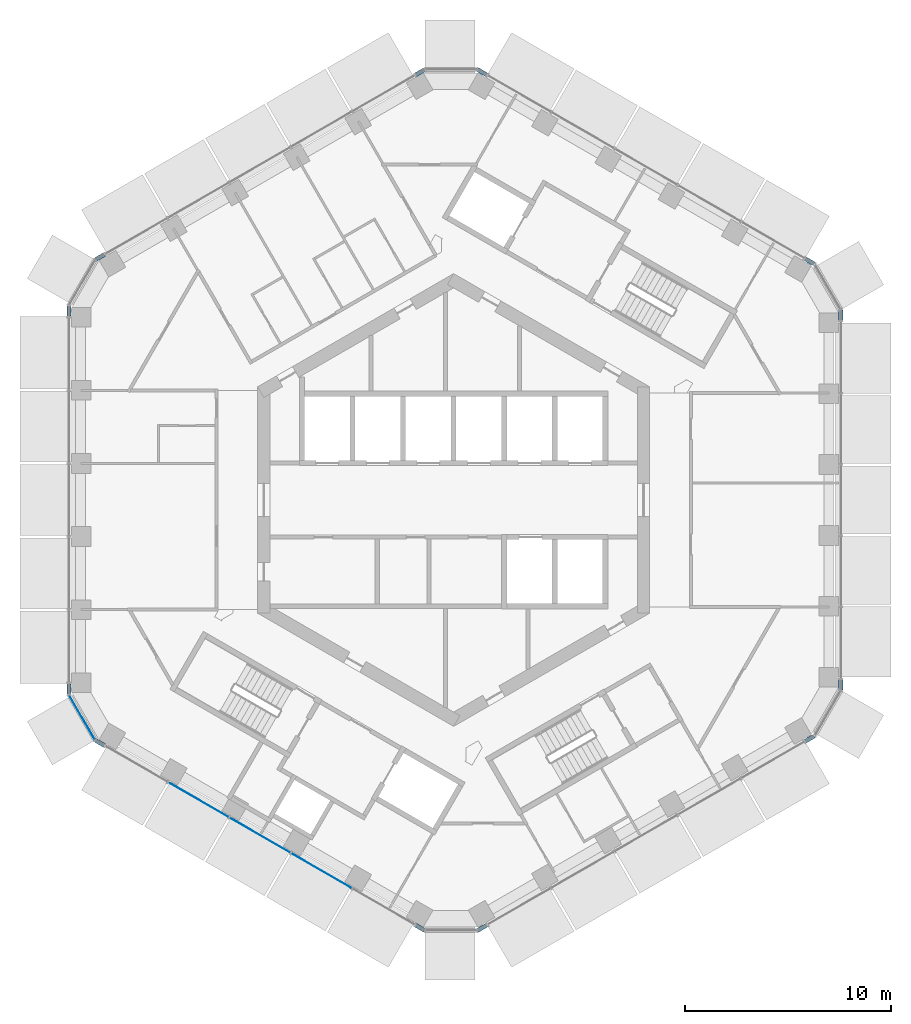
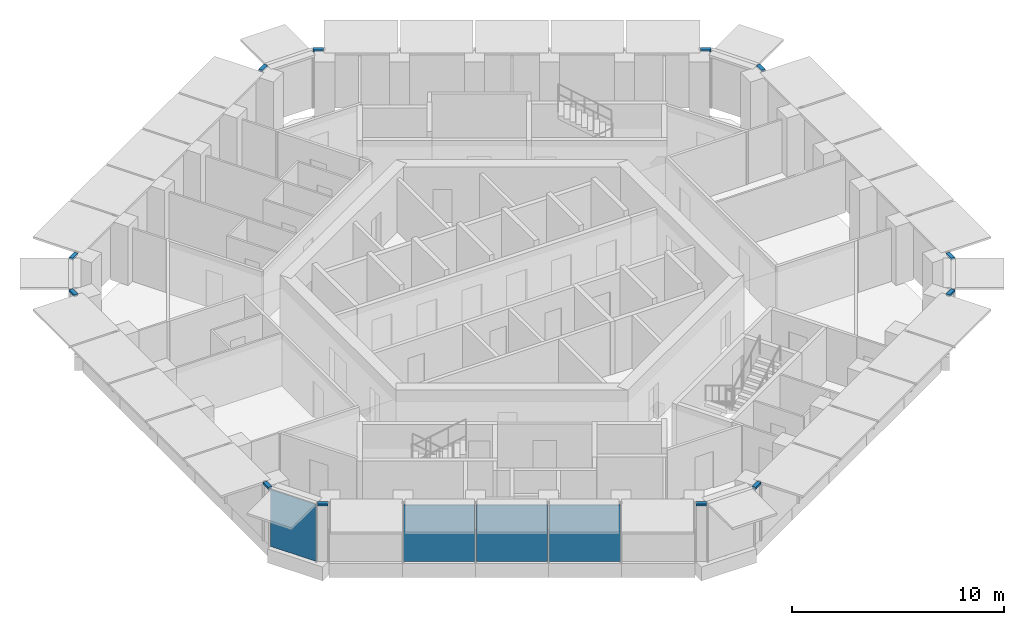
# One storey, part 8 of 18: 12 members, 4 plates, 7 elements without a shape of their own.
"""IFC4 building model written with IfcOpenShell, lengths in metres."""

from ifc_helpers import new_model, si_unit, direction, frame, origin, origin_2d, place, context, subcontext, project, spatial, rectangle, extrude, material, layer, layer_set, material_profile, profile_set, type_object, element, aggregate, save


model = new_model("IFC4")

# Units and contexts
model_context = context("Model", 3, precision=1e-05, world=origin(), true_north=direction((0.0, 1.0)))
body_context = subcontext(model_context, "Body", "Model", "MODEL_VIEW")
ifc_project = project(units=[si_unit("LENGTHUNIT", "METRE"), si_unit("AREAUNIT", "SQUARE_METRE"), si_unit("VOLUMEUNIT", "CUBIC_METRE"), si_unit("PLANEANGLEUNIT", "RADIAN"), si_unit("MASSUNIT", "GRAM", prefix="KILO")], contexts=[model_context])

# Site, building, storey
site_placement = place(None, origin())
site = spatial("IfcSite", under=ifc_project, at=site_placement, CompositionType="ELEMENT")
building_placement = place(site_placement, origin())
building = spatial("IfcBuilding", under=site, at=building_placement, Name="Ayvan Gate Tower", CompositionType="ELEMENT")
storey_placement = place(building_placement, frame((0.0, 0.0, 159.5)))
storey = spatial("IfcBuildingStorey", under=building, at=storey_placement, Name="L42", CompositionType="ELEMENT", Elevation=159.5)

# Curtain wall, members
ifc_material_1 = material(Name="Bronze anodised aluminium", Category="aluminium")
ifc_layer_1 = layer(ifc_material_1, 0.199951171875)
ifc_layer_set_1 = layer_set([ifc_layer_1], Name="Bronze anodised aluminium")
curtain_wall_type_1 = type_object("IfcCurtainWallType", Name="Stick curtain wall CW-6", PredefinedType="NOTDEFINED", material=ifc_layer_set_1)
curtain_wall_1_placement = place(storey_placement, origin())
curtain_wall_1 = element("IfcCurtainWall", 1, at=curtain_wall_1_placement, inside=storey, type_object=curtain_wall_type_1, Name="Stick curtain wall CW-6 L42", PredefinedType="NOTDEFINED")
ifc_material_profile = material_profile(ifc_material_1, rectangle(XDim=0.199951171875, YDim=0.1201171875, at=origin_2d()), Name="Stick curtain wall CW-6 transom 200 x 120")
ifc_profile_set = profile_set([ifc_material_profile], Name="Bronze anodised aluminium")
member_type = type_object("IfcMemberType", Name="Stick curtain wall CW-6 transom 200 x 120", PredefinedType="USERDEFINED", material=ifc_profile_set)
member_1_placement = place(storey_placement, frame((-16.9208984375, 11.894775390625, 3.340087890625), z_axis=(-0.866071776036, -0.499919672301, 0.0), x_axis=(0.499919672301, -0.866071776036, 0.0)))
member_1 = element("IfcMember", 2, at=member_1_placement, type_object=member_type, Name="CW-6 transom 1", ObjectType="TRANSOM", PredefinedType="USERDEFINED", context=body_context, shape_type="SweptSolid", body=[
    extrude(rectangle(XDim=0.199951171875, YDim=0.1201171875, at=origin_2d()), origin(), (0.0, 0.0, 1.0), 0.5),
])
member_2_placement = place(storey_placement, frame((-18.642822265625, 9.412109375, 3.340087890625), z_axis=(0.0, -1.0, 0.0), x_axis=(1.0, 0.0, 0.0)))
member_2 = element("IfcMember", 3, at=member_2_placement, type_object=member_type, Name="CW-6 transom 3", ObjectType="TRANSOM", PredefinedType="USERDEFINED", context=body_context, shape_type="SweptSolid", body=[
    extrude(rectangle(XDim=0.199951171875, YDim=0.1201171875, at=origin_2d()), origin(), (0.0, 0.0, 1.0), 0.5),
])
aggregate(curtain_wall_1, [member_1, member_2])

curtain_wall_2_placement = place(storey_placement, origin())
curtain_wall_2 = element("IfcCurtainWall", 4, at=curtain_wall_2_placement, inside=storey, type_object=curtain_wall_type_1, Name="Stick curtain wall CW-6 L42", PredefinedType="NOTDEFINED")
member_3_placement = place(storey_placement, frame((-18.642822265625, -8.912109375, 3.340087890625), z_axis=(0.0, -1.0, 0.0), x_axis=(1.0, 0.0, 0.0)))
member_3 = element("IfcMember", 5, at=member_3_placement, type_object=member_type, Name="CW-6 transom 1", ObjectType="TRANSOM", PredefinedType="USERDEFINED", context=body_context, shape_type="SweptSolid", body=[
    extrude(rectangle(XDim=0.199951171875, YDim=0.1201171875, at=origin_2d()), origin(), (0.0, 0.0, 1.0), 0.5),
])
member_4_placement = place(storey_placement, frame((-17.35400390625, -11.644775390625, 3.340087890625), z_axis=(0.866071776036, -0.499919672301, 0.0), x_axis=(0.499919672301, 0.866071776036, 0.0)))
member_4 = element("IfcMember", 6, at=member_4_placement, type_object=member_type, Name="CW-6 transom 3", ObjectType="TRANSOM", PredefinedType="USERDEFINED", context=body_context, shape_type="SweptSolid", body=[
    extrude(rectangle(XDim=0.199951171875, YDim=0.1201171875, at=origin_2d()), origin(), (0.0, 0.0, 1.0), 0.5),
])

curtain_wall_3_placement = place(storey_placement, origin())
curtain_wall_3 = element("IfcCurtainWall", 7, at=curtain_wall_3_placement, inside=storey, type_object=curtain_wall_type_1, Name="Stick curtain wall CW-6 L42", PredefinedType="NOTDEFINED")
member_5_placement = place(storey_placement, frame((-1.840576171875, -20.601318359375, 3.340087890625), z_axis=(0.865949687125, -0.500131122175, 0.0), x_axis=(0.500131122175, 0.865949687125, 0.0)))
member_5 = element("IfcMember", 8, at=member_5_placement, type_object=member_type, Name="CW-6 transom 1", ObjectType="TRANSOM", PredefinedType="USERDEFINED", context=body_context, shape_type="SweptSolid", body=[
    extrude(rectangle(XDim=0.199951171875, YDim=0.1201171875, at=origin_2d()), origin(), (0.0, 0.0, 1.0), 0.499755859375),
])
member_6_placement = place(storey_placement, frame((1.170166015625, -20.851318359375, 3.340087890625), z_axis=(0.866071776036, 0.499919672301, 0.0), x_axis=(-0.499919672301, 0.866071776036, 0.0)))
member_6 = element("IfcMember", 9, at=member_6_placement, type_object=member_type, Name="CW-6 transom 3", ObjectType="TRANSOM", PredefinedType="USERDEFINED", context=body_context, shape_type="SweptSolid", body=[
    extrude(rectangle(XDim=0.199951171875, YDim=0.1201171875, at=origin_2d()), origin(), (0.0, 0.0, 1.0), 0.5),
])
aggregate(curtain_wall_3, [member_5, member_6])

curtain_wall_4_placement = place(storey_placement, origin())
curtain_wall_4 = element("IfcCurtainWall", 10, at=curtain_wall_4_placement, inside=storey, type_object=curtain_wall_type_1, Name="Stick curtain wall CW-6 L42", PredefinedType="NOTDEFINED")
member_7_placement = place(storey_placement, frame((17.03955078125, -11.68896484375, 3.340087890625), z_axis=(0.866071776036, 0.499919672301, 0.0), x_axis=(-0.499919672301, 0.866071776036, 0.0)))
member_7 = element("IfcMember", 11, at=member_7_placement, type_object=member_type, Name="CW-6 transom 1", ObjectType="TRANSOM", PredefinedType="USERDEFINED", context=body_context, shape_type="SweptSolid", body=[
    extrude(rectangle(XDim=0.199951171875, YDim=0.1201171875, at=origin_2d()), origin(), (0.0, 0.0, 1.0), 0.5),
])
member_8_placement = place(storey_placement, frame((18.761474609375, -9.20654296875, 3.340087890625), z_axis=(0.0, 1.0, 0.0), x_axis=(-1.0, 0.0, 0.0)))
member_8 = element("IfcMember", 12, at=member_8_placement, type_object=member_type, Name="CW-6 transom 3", ObjectType="TRANSOM", PredefinedType="USERDEFINED", context=body_context, shape_type="SweptSolid", body=[
    extrude(rectangle(XDim=0.199951171875, YDim=0.1201171875, at=origin_2d()), origin(), (0.0, 0.0, 1.0), 0.5),
])
aggregate(curtain_wall_4, [member_7, member_8])

curtain_wall_5_placement = place(storey_placement, origin())
curtain_wall_5 = element("IfcCurtainWall", 13, at=curtain_wall_5_placement, inside=storey, type_object=curtain_wall_type_1, Name="Stick curtain wall CW-6 L42", PredefinedType="NOTDEFINED")
member_9_placement = place(storey_placement, frame((18.761474609375, 8.70654296875, 3.340087890625), z_axis=(0.0, 1.0, 0.0), x_axis=(-1.0, 0.0, 0.0)))
member_9 = element("IfcMember", 14, at=member_9_placement, type_object=member_type, Name="CW-6 transom 1", ObjectType="TRANSOM", PredefinedType="USERDEFINED", context=body_context, shape_type="SweptSolid", body=[
    extrude(rectangle(XDim=0.199951171875, YDim=0.1201171875, at=origin_2d()), origin(), (0.0, 0.0, 1.0), 0.5),
])
member_10_placement = place(storey_placement, frame((17.47265625, 11.43896484375, 3.340087890625), z_axis=(-0.866071776036, 0.499919672301, 0.0), x_axis=(-0.499919672301, -0.866071776036, 0.0)))
member_10 = element("IfcMember", 15, at=member_10_placement, type_object=member_type, Name="CW-6 transom 3", ObjectType="TRANSOM", PredefinedType="USERDEFINED", context=body_context, shape_type="SweptSolid", body=[
    extrude(rectangle(XDim=0.199951171875, YDim=0.1201171875, at=origin_2d()), origin(), (0.0, 0.0, 1.0), 0.5),
])
aggregate(curtain_wall_5, [member_9, member_10])

curtain_wall_6_placement = place(storey_placement, origin())
curtain_wall_6 = element("IfcCurtainWall", 16, at=curtain_wall_6_placement, inside=storey, type_object=curtain_wall_type_1, Name="Stick curtain wall CW-6 L42", PredefinedType="NOTDEFINED")
member_11_placement = place(storey_placement, frame((1.603271484375, 20.601318359375, 3.340087890625), z_axis=(-0.866071776036, 0.499919672301, 0.0), x_axis=(-0.499919672301, -0.866071776036, 0.0)))
member_11 = element("IfcMember", 17, at=member_11_placement, type_object=member_type, Name="CW-6 transom 1", ObjectType="TRANSOM", PredefinedType="USERDEFINED", context=body_context, shape_type="SweptSolid", body=[
    extrude(rectangle(XDim=0.199951171875, YDim=0.1201171875, at=origin_2d()), origin(), (0.0, 0.0, 1.0), 0.5),
])
member_12_placement = place(storey_placement, frame((-1.40771484375, 20.851318359375, 3.340087890625), z_axis=(-0.865949687125, -0.500131122175, 0.0), x_axis=(0.500131122175, -0.865949687125, 0.0)))
member_12 = element("IfcMember", 18, at=member_12_placement, type_object=member_type, Name="CW-6 transom 3", ObjectType="TRANSOM", PredefinedType="USERDEFINED", context=body_context, shape_type="SweptSolid", body=[
    extrude(rectangle(XDim=0.199951171875, YDim=0.1201171875, at=origin_2d()), origin(), (0.0, 0.0, 1.0), 0.499755859375),
])
aggregate(curtain_wall_6, [member_11, member_12])

# Curtain wall, plates
ifc_layer_2 = layer(ifc_material_1, 0.199951171875)
ifc_layer_set_2 = layer_set([ifc_layer_2], Name="Bronze anodised aluminium")
curtain_wall_type_2 = type_object("IfcCurtainWallType", Name="Stick curtain wall CW-2", PredefinedType="NOTDEFINED", material=ifc_layer_set_2)
curtain_wall_7_placement = place(storey_placement, origin())
curtain_wall_7 = element("IfcCurtainWall", 19, at=curtain_wall_7_placement, inside=storey, type_object=curtain_wall_type_2, Name="Stick curtain wall CW-2 L42", PredefinedType="NOTDEFINED")
ifc_material_2 = material(Name="Clear low-iron laminated glass", Category="glass")
ifc_layer_3 = layer(ifc_material_2, 0.028076171875)
ifc_layer_set_3 = layer_set([ifc_layer_3], Name="Clear low-iron laminated glass")
plate_type_1 = type_object("IfcPlateType", Name="Stick curtain wall CW-2 glass panel", PredefinedType="CURTAIN_PANEL", material=ifc_layer_set_3)
plate_1_placement = place(storey_placement, frame((-12.358642578125, -14.528564453125, 0.0), z_axis=(0.0, 0.0, 1.0), x_axis=(0.866025403784, -0.5, 0.0)))
plate_1 = element("IfcPlate", 20, at=plate_1_placement, type_object=plate_type_1, Name="CW-2 glass panel 2", PredefinedType="CURTAIN_PANEL", context=body_context, shape_type="SweptSolid", body=[
    extrude(rectangle(XDim=3.367919921875, YDim=0.028076171875, at=origin_2d()), origin(), (0.0, 0.0, 1.0), 3.280029296875),
])
plate_2_placement = place(storey_placement, frame((-9.380859375, -16.247802734375, 0.0), z_axis=(0.0, 0.0, 1.0), x_axis=(0.866025403784, -0.5, 0.0)))
plate_2 = element("IfcPlate", 21, at=plate_2_placement, type_object=plate_type_1, Name="CW-2 glass panel 3", PredefinedType="CURTAIN_PANEL", context=body_context, shape_type="SweptSolid", body=[
    extrude(rectangle(XDim=3.368896484375, YDim=0.028076171875, at=origin_2d()), origin(), (0.0, 0.0, 1.0), 3.280029296875),
])
plate_3_placement = place(storey_placement, frame((-6.402587890625, -17.967529296875, 0.0), z_axis=(0.0, 0.0, 1.0), x_axis=(0.866025403784, -0.5, 0.0)))
plate_3 = element("IfcPlate", 22, at=plate_3_placement, type_object=plate_type_1, Name="CW-2 glass panel 4", PredefinedType="CURTAIN_PANEL", context=body_context, shape_type="SweptSolid", body=[
    extrude(rectangle(XDim=3.368896484375, YDim=0.028076171875, at=origin_2d()), origin(), (0.0, 0.0, 1.0), 3.280029296875),
])
aggregate(curtain_wall_7, [plate_1, plate_2, plate_3])

# Plate
ifc_layer_4 = layer(ifc_material_2, 0.028076171875)
ifc_layer_set_4 = layer_set([ifc_layer_4], Name="Clear low-iron laminated glass")
plate_type_2 = type_object("IfcPlateType", Name="Stick curtain wall CW-6 glass panel", PredefinedType="CURTAIN_PANEL", material=ifc_layer_set_4)
plate_4_placement = place(storey_placement, frame((-18.00927734375, -10.53466796875, 0.0), z_axis=(0.0, 0.0, 1.0), x_axis=(0.5, -0.866025403784, 0.0)))
plate_4 = element("IfcPlate", 23, at=plate_4_placement, type_object=plate_type_2, Name="CW-6 glass panel 2", PredefinedType="CURTAIN_PANEL", context=body_context, shape_type="SweptSolid", body=[
    extrude(rectangle(XDim=2.484619140625, YDim=0.028076171875, at=origin_2d()), origin(), (0.0, 0.0, 1.0), 3.280029296875),
])

aggregate(curtain_wall_2, [member_3, member_4, plate_4])

save(model, "model.ifc")
